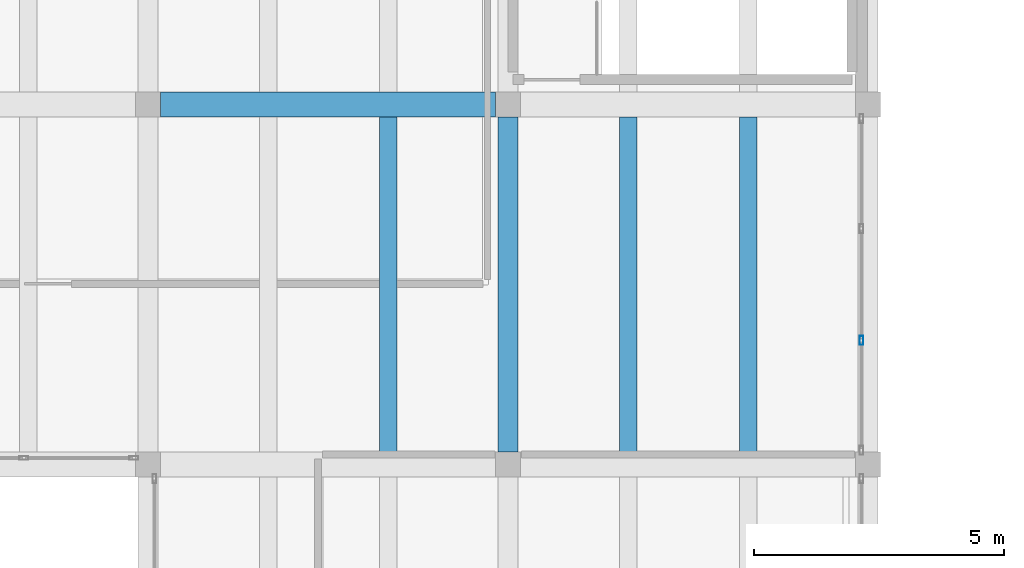
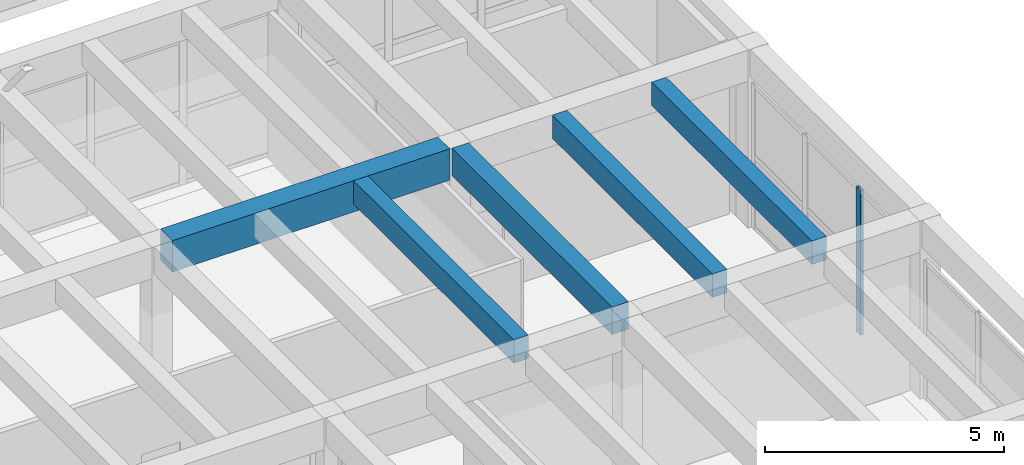
# One storey, part 96 of 153: 5 beams, 1 member, 1 element without a shape of its own.
"""IFC4 building model written with IfcOpenShell, lengths in metres."""

from ifc_helpers import new_model, si_unit, direction, frame, origin, origin_2d, place, context, subcontext, project, spatial, rectangle, hollow_rectangle, extrude, material, material_profile, profile_set, type_object, element, aggregate, save


model = new_model("IFC4")

# Units and contexts
model_context = context("Model", 3, precision=1e-05, world=origin(), true_north=direction((0.0, 1.0)))
body_context = subcontext(model_context, "Body", "Model", "MODEL_VIEW")
ifc_project = project(units=[si_unit("LENGTHUNIT", "METRE"), si_unit("AREAUNIT", "SQUARE_METRE"), si_unit("VOLUMEUNIT", "CUBIC_METRE"), si_unit("PLANEANGLEUNIT", "RADIAN"), si_unit("MASSUNIT", "GRAM", prefix="KILO")], contexts=[model_context])

# Site, building, storey
site_placement = place(None, origin())
site = spatial("IfcSite", under=ifc_project, at=site_placement, CompositionType="ELEMENT")
building_placement = place(site_placement, origin())
building = spatial("IfcBuilding", under=site, at=building_placement, Name="Bramvelor Terrace Health Centre", CompositionType="ELEMENT")
storey_placement = place(building_placement, frame((0.0, 0.0, 4.800048828125)))
storey = spatial("IfcBuildingStorey", under=building, at=storey_placement, Name="L02", CompositionType="ELEMENT", Elevation=4.800048828125)

# Beams
ifc_material_1 = material(Name="Concrete C40/50", Category="concrete")
ifc_material_profile_1 = material_profile(ifc_material_1, rectangle(XDim=0.39990234375, YDim=0.699951171875, at=origin_2d()), Name="RC 400x700")
ifc_profile_set_1 = profile_set([ifc_material_profile_1], Name="Concrete C40/50")
beam_type_1 = type_object("IfcBeamType", Name="BM-RC-G700", PredefinedType="BEAM", material=ifc_profile_set_1)
beam_1_placement = place(storey_placement, frame((86.39990234375, 65.050048828125, 4.199951171875), z_axis=(0.0, 1.0, 0.0), x_axis=(-1.0, 0.0, 0.0)))
element("IfcBeam", 1, at=beam_1_placement, inside=storey, type_object=beam_type_1, Name="L02 Floor Girder", PredefinedType="BEAM", context=body_context, shape_type="SweptSolid", body=[
    extrude(rectangle(XDim=0.39990234375, YDim=0.699951171875, at=origin_2d()), origin(), (0.0, 0.0, 1.0), 6.699951171875),
])
ifc_material_2 = material(Name="Concrete C40/50", Category="concrete")
ifc_material_profile_2 = material_profile(ifc_material_2, rectangle(XDim=0.5, YDim=0.800048828125, at=origin_2d()), Name="RC 500x800")
ifc_profile_set_2 = profile_set([ifc_material_profile_2], Name="Concrete C40/50")
beam_type_2 = type_object("IfcBeamType", Name="BM-RC-G800", PredefinedType="BEAM", material=ifc_profile_set_2)
beam_2_placement = place(storey_placement, frame((79.449951171875, 72.0, 4.14990234375), z_axis=(1.0, 0.0, 0.0), x_axis=(0.0, 1.0, 0.0)))
element("IfcBeam", 2, at=beam_2_placement, inside=storey, type_object=beam_type_2, Name="L02 Floor Girder", PredefinedType="BEAM", context=body_context, shape_type="SweptSolid", body=[
    extrude(rectangle(XDim=0.5, YDim=0.800048828125, at=origin_2d()), origin(), (0.0, 0.0, 1.0), 6.699951171875),
])
ifc_material_3 = material(Name="Concrete C40/50", Category="concrete")
ifc_material_profile_3 = material_profile(ifc_material_3, rectangle(XDim=0.35009765625, YDim=0.60009765625, at=origin_2d()), Name="RC 350x600")
ifc_profile_set_3 = profile_set([ifc_material_profile_3], Name="Concrete C40/50")
beam_type_3 = type_object("IfcBeamType", Name="BM-RC-J600", PredefinedType="JOIST", material=ifc_profile_set_3)
for number, where, z_axis, x_axis, name in (
    (3, (84.0, 65.050048828125, 4.25), (0.0, 1.0, 0.0), (-1.0, 0.0, 0.0), "L02 Secondary Floor Joist"),
    (4, (88.800048828125, 65.050048828125, 4.25), (0.0, 1.0, 0.0), (-1.0, 0.0, 0.0), "L02 Secondary Floor Joist"),
    (5, (91.199951171875, 65.050048828125, 4.25), (0.0, 1.0, 0.0), (-1.0, 0.0, 0.0), "L02 Secondary Floor Joist"),
):
    element("IfcBeam", number, at=place(storey_placement, frame(where, z_axis=z_axis, x_axis=x_axis)), inside=storey, type_object=beam_type_3, Name=name, PredefinedType="JOIST", context=body_context, shape_type="SweptSolid", body=[
        extrude(rectangle(XDim=0.35009765625, YDim=0.60009765625, at=origin_2d()), origin(), (0.0, 0.0, 1.0), 6.699951171875),
    ])

# Curtain wall, member
ifc_material_4 = material(Name="Anodized aluminium and double low-E glass", Category="aluminium")
curtain_wall_type = type_object("IfcCurtainWallType", Name="CW-SYS-17", PredefinedType="NOTDEFINED", material=ifc_material_4)
curtain_wall_placement = place(storey_placement, origin())
curtain_wall = element("IfcCurtainWall", 6, at=curtain_wall_placement, inside=storey, type_object=curtain_wall_type, Name="L02 Unitized Curtain Wall 97", PredefinedType="NOTDEFINED")
ifc_material_5 = material(Name="Anodized aluminium 6063-T6", Category="aluminium")
ifc_material_profile_4 = material_profile(ifc_material_5, hollow_rectangle(XDim=0.074951171875, YDim=0.179931640625, WallThickness=0.00341796875, at=origin_2d()), Name="ALU-MUL 75x180x3.5")
ifc_profile_set_4 = profile_set([ifc_material_profile_4], Name="Anodized aluminium 6063-T6")
member_type = type_object("IfcMemberType", Name="CW-MUL-65x180", PredefinedType="MULLION", material=ifc_profile_set_4)
member_placement = place(storey_placement, frame((93.469970703125, 67.28173828125, 0.0), z_axis=(0.0, 0.0, 1.0), x_axis=(1.0, 0.0, 0.0)))
member = element("IfcMember", 7, at=member_placement, type_object=member_type, Name="CW-17 mullion 3", PredefinedType="MULLION", context=body_context, shape_type="SweptSolid", body=[
    extrude(hollow_rectangle(XDim=0.074951171875, YDim=0.179931640625, WallThickness=0.00341796875, at=origin_2d()), origin(), (0.0, 0.0, 1.0), 3.7099609375),
])
aggregate(curtain_wall, [member])

save(model, "model.ifc")
